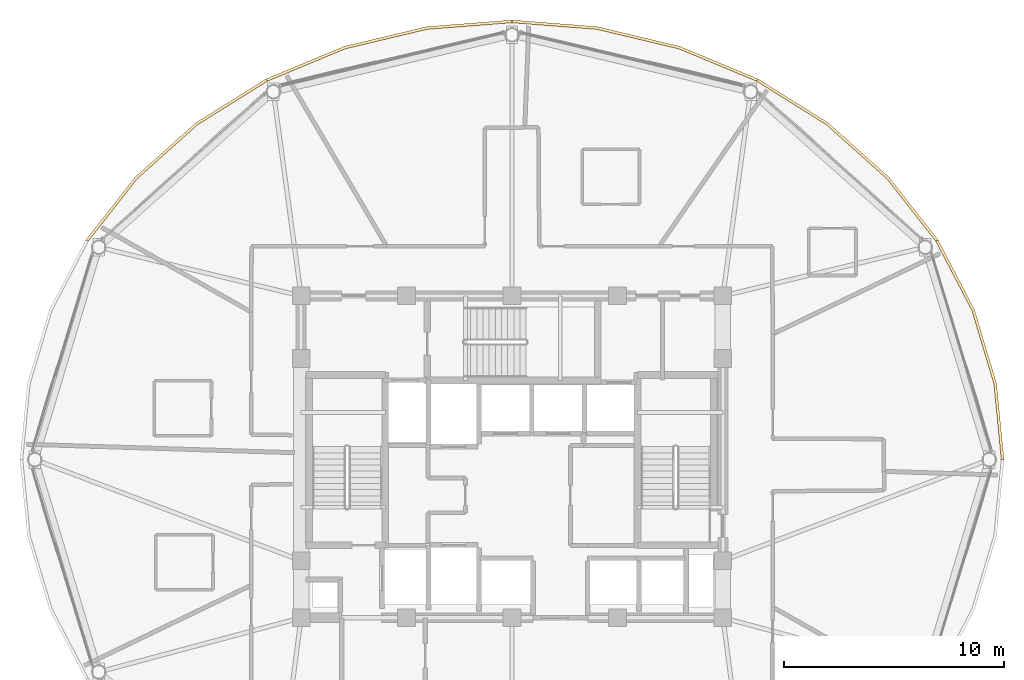
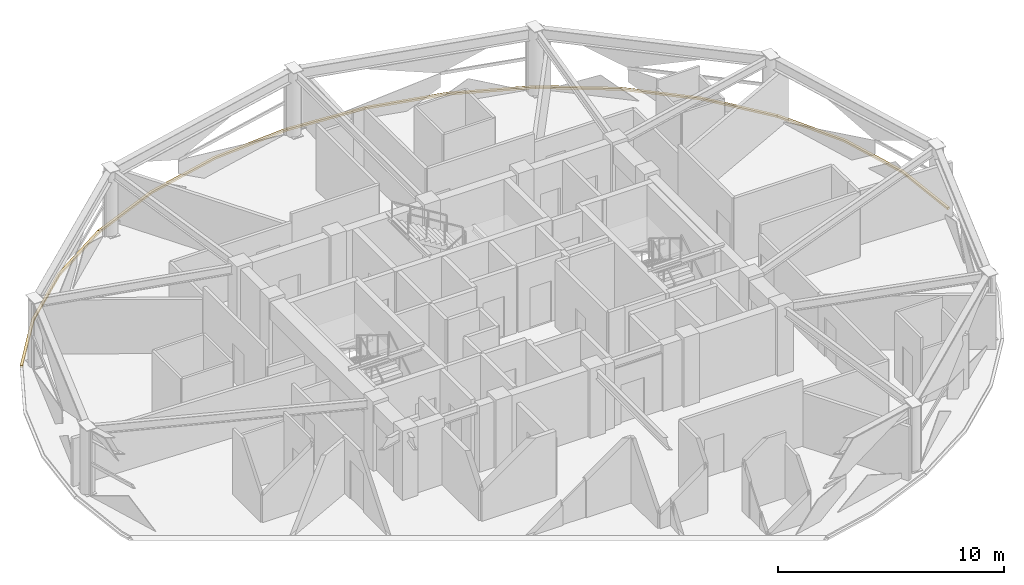
# One storey, part 28 of 28: 5 coverings.
"""IFC4 building model written with IfcOpenShell, lengths in metres."""

from ifc_helpers import new_model, si_unit, direction, frame, origin, place, context, subcontext, project, spatial, polyline, outline, extrude, material, layer, layer_set, type_object, element, save


model = new_model("IFC4")

# Units and contexts
model_context = context("Model", 3, precision=1e-05, world=origin(), true_north=direction((0.0, 1.0)))
body_context = subcontext(model_context, "Body", "Model", "MODEL_VIEW")
ifc_project = project(units=[si_unit("LENGTHUNIT", "METRE"), si_unit("AREAUNIT", "SQUARE_METRE"), si_unit("VOLUMEUNIT", "CUBIC_METRE"), si_unit("PLANEANGLEUNIT", "RADIAN"), si_unit("MASSUNIT", "GRAM", prefix="KILO")], contexts=[model_context])

# Site, building, storey
site_placement = place(None, origin())
site = spatial("IfcSite", under=ifc_project, at=site_placement, CompositionType="ELEMENT")
building_placement = place(site_placement, origin())
building = spatial("IfcBuilding", under=site, at=building_placement, Name="Vantalir Tower", CompositionType="ELEMENT")
storey_placement = place(building_placement, frame((0.0, 0.0, 238.64990234375)))
storey = spatial("IfcBuildingStorey", under=building, at=storey_placement, Name="L60", CompositionType="ELEMENT", Elevation=238.64990234375)

# Coverings
ifc_material = material(Name="Anodised champagne aluminium sill fascia", Category="aluminium")
ifc_layer = layer(ifc_material, 0.125)
ifc_layer_set = layer_set([ifc_layer], Name="Anodised champagne aluminium sill fascia")
covering_type = type_object("IfcCoveringType", Name="COV-SLAB-FASCIA-125", PredefinedType="CLADDING", material=ifc_layer_set)
covering_1_placement = place(storey_placement, frame((0.0, 0.0, -0.179931640625)))
element("IfcCovering", 1, at=covering_1_placement, inside=storey, type_object=covering_type, Name="L60 Perimeter Slab-Edge Sill Fascia 01", PredefinedType="CLADDING", context=body_context, shape_type="SweptSolid", body=[
    extrude(outline(polyline([(53.89306640625, 25.0), (53.552978515625, 28.47412109375), (52.54296875, 31.843017578125), (50.89306640625, 35.00390625), (50.784912109375, 34.94091796875), (52.425048828125, 31.800048828125), (53.429931640625, 28.452880859375), (53.76806640625, 25.0), (53.89306640625, 25.0)])), origin(), (0.0, 0.0, 1.0), 0.10498046875),
])
covering_2_placement = place(storey_placement, frame((0.0, 0.0, -0.179931640625)))
element("IfcCovering", 2, at=covering_2_placement, inside=storey, type_object=covering_type, Name="L60 Perimeter Slab-Edge Sill Fascia 02", PredefinedType="CLADDING", context=body_context, shape_type="SweptSolid", body=[
    extrude(outline(polyline([(50.89306640625, 35.00390625), (48.654052734375, 37.861083984375), (45.89404296875, 40.326904296875), (42.697021484375, 42.326904296875), (42.634033203125, 42.218994140625), (45.81396484375, 40.23095703125), (48.55810546875, 37.781005859375), (50.784912109375, 34.94091796875), (50.89306640625, 35.00390625)])), origin(), (0.0, 0.0, 1.0), 0.10498046875),
])
covering_3_placement = place(storey_placement, frame((0.0, 0.0, -0.179931640625)))
element("IfcCovering", 3, at=covering_3_placement, inside=storey, type_object=covering_type, Name="L60 Perimeter Slab-Edge Sill Fascia 03", PredefinedType="CLADDING", context=body_context, shape_type="SweptSolid", body=[
    extrude(outline(polyline([(42.697021484375, 42.326904296875), (39.158935546875, 43.801025390625), (35.388916015625, 44.7041015625), (31.5, 45.008056640625), (31.5, 44.883056640625), (35.366943359375, 44.5810546875), (39.115966796875, 43.68408203125), (42.634033203125, 42.218994140625), (42.697021484375, 42.326904296875)])), origin(), (0.0, 0.0, 1.0), 0.10498046875),
])
covering_4_placement = place(storey_placement, frame((0.0, 0.0, -0.179931640625)))
element("IfcCovering", 4, at=covering_4_placement, inside=storey, type_object=covering_type, Name="L60 Perimeter Slab-Edge Sill Fascia 04", PredefinedType="CLADDING", context=body_context, shape_type="SweptSolid", body=[
    extrude(outline(polyline([(31.5, 45.008056640625), (27.611083984375, 44.7041015625), (23.841064453125, 43.801025390625), (20.303955078125, 42.326904296875), (20.365966796875, 42.218994140625), (23.884033203125, 43.68408203125), (27.633056640625, 44.5810546875), (31.5, 44.883056640625), (31.5, 45.008056640625)])), origin(), (0.0, 0.0, 1.0), 0.10498046875),
])
covering_5_placement = place(storey_placement, frame((0.0, 0.0, -0.179931640625)))
element("IfcCovering", 5, at=covering_5_placement, inside=storey, type_object=covering_type, Name="L60 Perimeter Slab-Edge Sill Fascia 05", PredefinedType="CLADDING", context=body_context, shape_type="SweptSolid", body=[
    extrude(outline(polyline([(20.303955078125, 42.326904296875), (17.10595703125, 40.326904296875), (14.345947265625, 37.861083984375), (12.10693359375, 35.00390625), (12.215087890625, 34.94091796875), (14.44189453125, 37.781005859375), (17.18603515625, 40.23095703125), (20.365966796875, 42.218994140625), (20.303955078125, 42.326904296875)])), origin(), (0.0, 0.0, 1.0), 0.10498046875),
])

save(model, "model.ifc")
